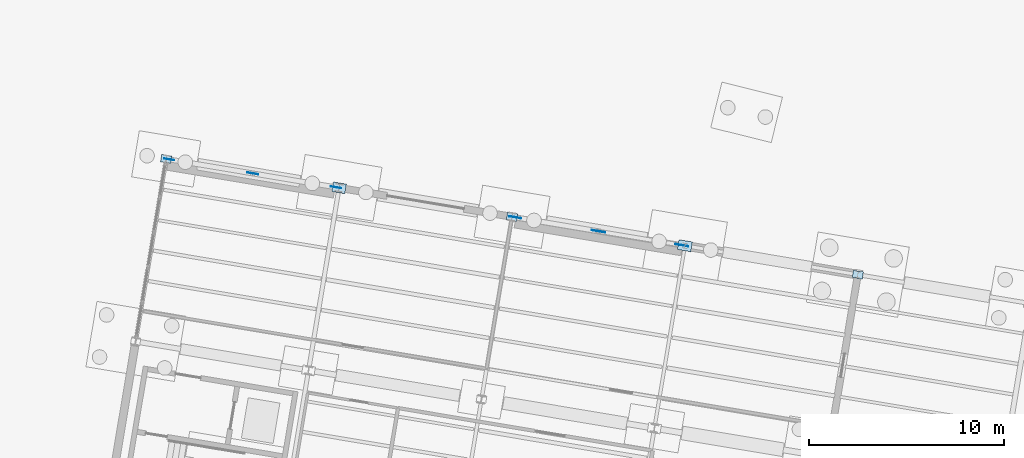
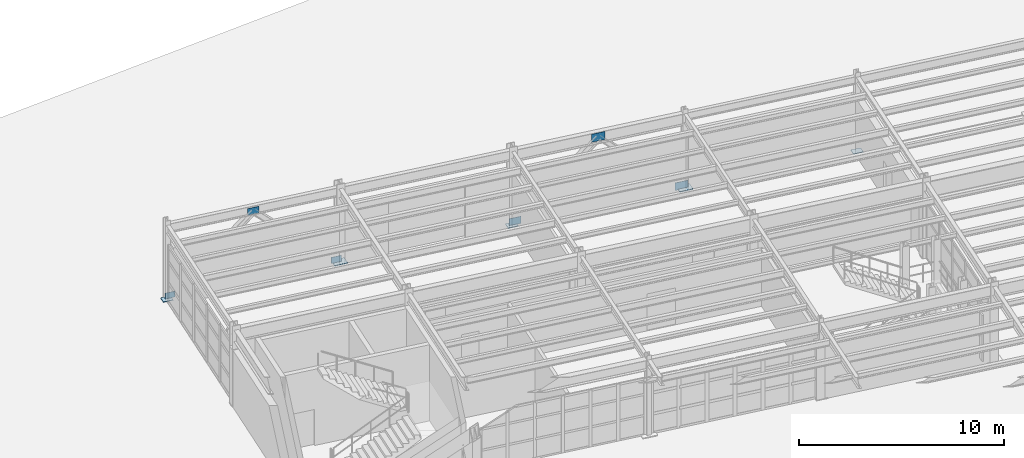
# One storey, part 78 of 108: 11 plates.
"""IFC4 building model written with IfcOpenShell, lengths in metres."""

import ifcopenshell
import ifcopenshell.guid

model = None  # the IFC model being written
_history = None  # IfcOwnerHistory: only IFC2X3 demands one
_inside = {}  # id of a spatial element -> (the spatial element, [elements in it])
_under = {}  # id of a project, library or spatial element -> (it, [spatial elements below it])
_declared = {}  # id of a project -> (the project, [libraries it declares])
_typed = {}  # id of a type object -> (the type object, [elements of that type])
_made_of = {}  # id of a material, layer set ... -> (it, [elements and type objects made of it])


def new_model(schema):
    """Start an empty IFC model of exactly this schema.

    Asked for "IFC4X3", IfcOpenShell would pick the latest addendum, in which some entities
    have other attributes; the version numbers below select the first issue.
    IFC2X3 requires an IfcOwnerHistory on every rooted entity: one is made here for all.
    """
    global model, _history
    if schema == "IFC4X3":
        model = ifcopenshell.file(schema_version=(4, 3, 0, 0))
    else:
        model = ifcopenshell.file(schema=schema)
    _inside.clear()
    _under.clear()
    _declared.clear()
    _typed.clear()
    _made_of.clear()
    _history = None
    if model.schema == "IFC2X3":
        org = make("IfcOrganization", Name="unknown")
        user = make(
            "IfcPersonAndOrganization",
            ThePerson=make("IfcPerson", FamilyName="unknown"),
            TheOrganization=org,
        )
        app = make(
            "IfcApplication",
            ApplicationDeveloper=org,
            Version="unknown",
            ApplicationFullName="unknown",
            ApplicationIdentifier="unknown",
        )
        _history = make(
            "IfcOwnerHistory",
            OwningUser=user,
            OwningApplication=app,
            ChangeAction="ADDED",
            CreationDate=0,
        )
    return model


def make(cls, **values):
    """One entity of the class cls with the attributes given. An attribute that is None is left unset."""
    return model.create_entity(
        cls, **{name: value for name, value in values.items() if value is not None}
    )


def rooted(cls, **values):
    """An entity with a GlobalId (a new one), such as an element, a storey or a relation."""
    return make(cls, GlobalId=ifcopenshell.guid.new(), OwnerHistory=_history, **values)


def si_unit(unit_type, name, prefix=None):
    """IfcSIUnit, for example si_unit("LENGTHUNIT", "METRE", prefix="MILLI")."""
    return make("IfcSIUnit", UnitType=unit_type, Prefix=prefix, Name=name)


def assignment(units):
    """IfcUnitAssignment: the units of a project."""
    return None if units is None else make("IfcUnitAssignment", Units=units)


def point(xyz):
    """IfcCartesianPoint."""
    return None if xyz is None else make("IfcCartesianPoint", Coordinates=xyz)


def direction(xyz):
    """IfcDirection."""
    return None if xyz is None else make("IfcDirection", DirectionRatios=xyz)


def frame(location, z_axis=None, x_axis=None):
    """IfcAxis2Placement3D, a coordinate frame: its origin and axes. An axis left out is left unset."""
    return make(
        "IfcAxis2Placement3D",
        Location=point(location),
        Axis=direction(z_axis),
        RefDirection=direction(x_axis),
    )


def frame_2d(location, x_axis=None):
    """IfcAxis2Placement2D, a coordinate frame in the plane: its origin and x axis."""
    return make(
        "IfcAxis2Placement2D", Location=point(location), RefDirection=direction(x_axis)
    )


def origin():
    """The frame at (0, 0, 0) with its axes left unset."""
    return frame((0.0, 0.0, 0.0))


def origin_2d():
    """The frame at (0, 0) in the plane with its x axis left unset."""
    return frame_2d((0.0, 0.0))


def place(relative_to, where):
    """IfcLocalPlacement: puts the frame where relative to a parent placement (None: the world)."""
    return make(
        "IfcLocalPlacement", PlacementRelTo=relative_to, RelativePlacement=where
    )


def context(
    kind, dimensions, precision=None, world=None, true_north=None, identifier=None
):
    """IfcGeometricRepresentationContext, for example the 3D "Model" context."""
    return make(
        "IfcGeometricRepresentationContext",
        ContextIdentifier=identifier,
        ContextType=kind,
        CoordinateSpaceDimension=dimensions,
        Precision=precision,
        WorldCoordinateSystem=world,
        TrueNorth=true_north,
    )


def subcontext(parent, identifier, kind, view, scale=None):
    """IfcGeometricRepresentationSubContext, for example "Body" below "Model"."""
    return make(
        "IfcGeometricRepresentationSubContext",
        ContextIdentifier=identifier,
        ContextType=kind,
        ParentContext=parent,
        TargetScale=scale,
        TargetView=view,
    )


def project(units=None, contexts=None):
    """IfcProject with its units and contexts."""
    return rooted(
        "IfcProject",
        Name="project",
        RepresentationContexts=contexts,
        UnitsInContext=assignment(units),
    )


def spatial(cls, under=None, at=None, **own):
    """A site, building, storey or space (cls), placed at a placement, below another one or the project."""
    s = rooted(cls, ObjectPlacement=at, **own)
    if under is not None:
        _under.setdefault(under.id(), (under, []))[1].append(s)
    return s


def profile(cls, at=None, kind="AREA", **sizes):
    """A parametric profile (cls). Its sizes go by their IFC names, for example OverallWidth=200.0."""
    return make(cls, ProfileType=kind, Position=at, **sizes)


def rectangle(**sizes):
    """IfcRectangleProfileDef."""
    return profile("IfcRectangleProfileDef", **sizes)


def extrude(swept, where, along, depth):
    """IfcExtrudedAreaSolid: the profile swept, set in the frame where, extruded along a direction by depth."""
    return make(
        "IfcExtrudedAreaSolid",
        SweptArea=swept,
        Position=where,
        ExtrudedDirection=direction(along),
        Depth=depth,
    )


def shape(context_of_items, identifier, shape_type, items):
    """IfcShapeRepresentation: the items that make up one representation, for example the "Body"."""
    return make(
        "IfcShapeRepresentation",
        ContextOfItems=context_of_items,
        RepresentationIdentifier=identifier,
        RepresentationType=shape_type,
        Items=items,
    )


def material(Name=None, Category=None):
    """IfcMaterial."""
    return make("IfcMaterial", Name=Name, Category=Category)


def layer(
    of_material, thickness, ventilated=None, Name=None, Category=None, Priority=None
):
    """IfcMaterialLayer: one layer of a wall or slab, of a material (None: an air gap)."""
    return make(
        "IfcMaterialLayer",
        Material=of_material,
        LayerThickness=thickness,
        IsVentilated=ventilated,
        Name=Name,
        Category=Category,
        Priority=Priority,
    )


def layer_set(layers, Name=None):
    """IfcMaterialLayerSet."""
    return make("IfcMaterialLayerSet", MaterialLayers=layers, LayerSetName=Name)


def made_of(thing, what):
    """Note that an element or type object is made of a material, layer set ...; save() writes the relation."""
    if what is not None:
        _made_of.setdefault(what.id(), (what, []))[1].append(thing)
    return thing


def type_object(cls, material=None, **own):
    """A type object (cls), such as IfcWallType, which elements share."""
    return made_of(rooted(cls, **own), material)


def element(
    cls,
    number,
    at=None,
    inside=None,
    cuts=None,
    type_object=None,
    material=None,
    context=None,
    identifier="Body",
    shape_type=None,
    held_by="IfcProductDefinitionShape",
    body=None,
    shapes=None,
    **own,
):
    """One element of the class cls, such as IfcWall. Its Tag is "e" and its number.

    at: its placement. inside: the storey or other place that contains it. cuts: it is an
    opening in that element (IfcRelVoidsElement). A single representation is given by context,
    identifier, shape_type and body (its items); several are given by shapes. held_by: the class
    of the entity that holds the representations. save() writes the other relations.
    """
    e = rooted(cls, Tag="e%d" % number, ObjectPlacement=at, **own)
    if body is not None:
        shapes = [shape(context, identifier, shape_type, body)]
    if shapes is not None:
        e.Representation = make(held_by, Representations=shapes)
    if inside is not None:
        _inside.setdefault(inside.id(), (inside, []))[1].append(e)
    if cuts is not None:
        rooted(
            "IfcRelVoidsElement", RelatingBuildingElement=cuts, RelatedOpeningElement=e
        )
    if type_object is not None:
        _typed.setdefault(type_object.id(), (type_object, []))[1].append(e)
    return made_of(e, material)


def aggregate(whole, parts):
    """IfcRelAggregates: a whole, such as a stair, and the parts it consists of."""
    return rooted("IfcRelAggregates", RelatingObject=whole, RelatedObjects=parts)


def save(model, path):
    """Write the relations noted so far, then the file.

    IfcRelAggregates (storeys below a building ...), IfcRelContainedInSpatialStructure (elements
    in a storey), IfcRelDefinesByType, IfcRelAssociatesMaterial and IfcRelDeclares: one each for
    every whole, place, type object, material and project.
    """
    for whole, parts in _under.values():
        aggregate(whole, parts)
    for where, things in _inside.values():
        rooted(
            "IfcRelContainedInSpatialStructure",
            RelatedElements=things,
            RelatingStructure=where,
        )
    for kind, things in _typed.values():
        rooted("IfcRelDefinesByType", RelatedObjects=things, RelatingType=kind)
    for what, things in _made_of.values():
        rooted("IfcRelAssociatesMaterial", RelatedObjects=things, RelatingMaterial=what)
    for by, libraries in _declared.values():
        rooted("IfcRelDeclares", RelatingContext=by, RelatedDefinitions=libraries)
    model.write(path)


model = new_model("IFC4")

# Units and contexts
model_context = context("Model", 3, precision=1e-05, world=origin(), true_north=direction((0.0, 1.0)))
body_context = subcontext(model_context, "Body", "Model", "MODEL_VIEW")
ifc_project = project(units=[si_unit("LENGTHUNIT", "METRE"), si_unit("AREAUNIT", "SQUARE_METRE"), si_unit("VOLUMEUNIT", "CUBIC_METRE"), si_unit("PLANEANGLEUNIT", "RADIAN"), si_unit("MASSUNIT", "GRAM", prefix="KILO")], contexts=[model_context])

# Site, building, storey
site_placement = place(None, origin())
site = spatial("IfcSite", under=ifc_project, at=site_placement, CompositionType="ELEMENT")
building_placement = place(site_placement, origin())
building = spatial("IfcBuilding", under=site, at=building_placement, Name="Vireo Bluff Cable Station", CompositionType="ELEMENT")
storey_placement = place(building_placement, origin())
storey = spatial("IfcBuildingStorey", under=building, at=storey_placement, Name="L00", CompositionType="ELEMENT", Elevation=0.0)

# Plates
ifc_material = material(Name="Steel ASTM A572 Gr. 50", Category="steel")
ifc_layer_1 = layer(ifc_material, 0.028076171875, Name="Steel ASTM A572 Gr. 50")
ifc_layer_set_1 = layer_set([ifc_layer_1], Name="Steel ASTM A572 Gr. 50")
plate_type_1 = type_object("IfcPlateType", Name="BASEPLATE-520X380X28", PredefinedType="SHEET", material=ifc_layer_set_1)
for number, where, z_axis, x_axis, name in (
    (1, (10.203857421875, 99.609130859375, 0.0), (0.0, 0.0, 1.0), (0.986285601537, -0.165047605861, 0.0), "V4 column baseplate 161"),
    (2, (45.710205078125, 93.66748046875, 0.0), (0.0, 0.0, 1.0), (0.986285601537, -0.165047605861, 0.0), "V4 column baseplate 177"),
):
    element("IfcPlate", number, at=place(storey_placement, frame(where, z_axis=z_axis, x_axis=x_axis)), inside=storey, type_object=plate_type_1, Name=name, PredefinedType="SHEET", context=body_context, shape_type="SweptSolid", body=[
        extrude(rectangle(XDim=0.52001953125, YDim=0.3798828125, at=origin_2d()), origin(), (0.0, 0.0, 1.0), 0.028076171875),
    ])
ifc_layer_2 = layer(ifc_material, 0.030029296875, Name="Steel ASTM A572 Gr. 50")
ifc_layer_set_2 = layer_set([ifc_layer_2], Name="Steel ASTM A572 Gr. 50")
plate_type_2 = type_object("IfcPlateType", Name="BASEPLATE-540X390X30", PredefinedType="SHEET", material=ifc_layer_set_2)
plate_1_placement = place(storey_placement, frame((27.95703125, 96.63818359375, 0.0), z_axis=(0.0, 0.0, 1.0), x_axis=(0.986285601537, -0.165047605861, 0.0)))
element("IfcPlate", 3, at=plate_1_placement, inside=storey, type_object=plate_type_2, Name="V4 column baseplate 169", PredefinedType="SHEET", context=body_context, shape_type="SweptSolid", body=[
    extrude(rectangle(XDim=0.5400390625, YDim=0.389892578125, at=origin_2d()), origin(), (0.0, 0.0, 1.0), 0.030029296875),
])
ifc_layer_3 = layer(ifc_material, 0.0419921875, Name="Steel ASTM A572 Gr. 50")
ifc_layer_set_3 = layer_set([ifc_layer_3], Name="Steel ASTM A572 Gr. 50")
plate_type_3 = type_object("IfcPlateType", Name="BASEPLATE-680X500X42", PredefinedType="SHEET", material=ifc_layer_set_3)
plate_2_placement = place(storey_placement, frame((19.080322265625, 98.123779296875, 0.0), z_axis=(0.0, 0.0, 1.0), x_axis=(0.986285601537, -0.165047605861, 0.0)))
element("IfcPlate", 4, at=plate_2_placement, inside=storey, type_object=plate_type_3, Name="V4 column baseplate 165", PredefinedType="SHEET", context=body_context, shape_type="SweptSolid", body=[
    extrude(rectangle(XDim=0.679931640625, YDim=0.5, at=origin_2d()), origin(), (0.0, 0.0, 1.0), 0.0419921875),
])
ifc_layer_4 = layer(ifc_material, 0.0439453125, Name="Steel ASTM A572 Gr. 50")
ifc_layer_set_4 = layer_set([ifc_layer_4], Name="Steel ASTM A572 Gr. 50")
plate_type_4 = type_object("IfcPlateType", Name="BASEPLATE-700X510X44", PredefinedType="SHEET", material=ifc_layer_set_4)
plate_3_placement = place(storey_placement, frame((36.83349609375, 95.15283203125, 0.0), z_axis=(0.0, 0.0, 1.0), x_axis=(0.986285601537, -0.165047605861, 0.0)))
element("IfcPlate", 5, at=plate_3_placement, inside=storey, type_object=plate_type_4, Name="V4 column baseplate 173", PredefinedType="SHEET", context=body_context, shape_type="SweptSolid", body=[
    extrude(rectangle(XDim=0.699951171875, YDim=0.510009765625, at=origin_2d()), origin(), (0.0, 0.0, 1.0), 0.0439453125),
])
ifc_layer_5 = layer(ifc_material, 0.02001953125, Name="Steel ASTM A572 Gr. 50")
ifc_layer_set_5 = layer_set([ifc_layer_5], Name="Steel ASTM A572 Gr. 50")
plate_type_5 = type_object("IfcPlateType", Name="GUSSET-500X340X20", PredefinedType="USERDEFINED", material=ifc_layer_set_5)
plate_4_placement = place(storey_placement, frame((10.361572265625, 99.582763671875, 0.0498046875), z_axis=(0.0, 0.0, 1.0), x_axis=(0.986285601537, -0.165047605861, 0.0)))
element("IfcPlate", 6, at=plate_4_placement, inside=storey, type_object=plate_type_5, Name="V4 L00 brace base gusset plate 182", ObjectType="GUSSET PLATE", PredefinedType="USERDEFINED", context=body_context, shape_type="SweptSolid", body=[
    extrude(rectangle(XDim=0.5, YDim=0.02001953125, at=origin_2d()), origin(), (0.0, 0.0, 1.0), 0.340087890625),
])
ifc_layer_6 = layer(ifc_material, 0.02197265625, Name="Steel ASTM A572 Gr. 50")
ifc_layer_set_6 = layer_set([ifc_layer_6], Name="Steel ASTM A572 Gr. 50")
plate_type_6 = type_object("IfcPlateType", Name="GUSSET-540X360X22", PredefinedType="USERDEFINED", material=ifc_layer_set_6)
plate_5_placement = place(storey_placement, frame((18.922607421875, 98.150146484375, 0.0400390625), z_axis=(0.0, 0.0, 1.0), x_axis=(0.986285601537, -0.165047605861, 0.0)))
element("IfcPlate", 7, at=plate_5_placement, inside=storey, type_object=plate_type_6, Name="V4 L00 brace base gusset plate 183", ObjectType="GUSSET PLATE", PredefinedType="USERDEFINED", context=body_context, shape_type="SweptSolid", body=[
    extrude(rectangle(XDim=0.5400390625, YDim=0.02197265625, at=origin_2d()), origin(), (0.0, 0.0, 1.0), 0.360107421875),
])
ifc_layer_7 = layer(ifc_material, 0.02392578125, Name="Steel ASTM A572 Gr. 50")
ifc_layer_set_7 = layer_set([ifc_layer_7], Name="Steel ASTM A572 Gr. 50")
plate_type_7 = type_object("IfcPlateType", Name="GUSSET-580X400X24", PredefinedType="USERDEFINED", material=ifc_layer_set_7)
plate_6_placement = place(storey_placement, frame((14.64208984375, 98.866455078125, 3.97998046875), z_axis=(0.0, 0.0, 1.0), x_axis=(0.986285601537, -0.165047605861, 0.0)))
element("IfcPlate", 8, at=plate_6_placement, inside=storey, type_object=plate_type_7, Name="V4 L00 chevron gusset plate 184", ObjectType="GUSSET PLATE", PredefinedType="USERDEFINED", context=body_context, shape_type="SweptSolid", body=[
    extrude(rectangle(XDim=0.580078125, YDim=0.02392578125, at=origin_2d()), origin(), (0.0, 0.0, 1.0), 0.39990234375),
])
ifc_layer_8 = layer(ifc_material, 0.02490234375, Name="Steel ASTM A572 Gr. 50")
ifc_layer_set_8 = layer_set([ifc_layer_8], Name="Steel ASTM A572 Gr. 50")
plate_type_8 = type_object("IfcPlateType", Name="GUSSET-620X420X25", PredefinedType="USERDEFINED", material=ifc_layer_set_8)
plate_7_placement = place(storey_placement, frame((28.11474609375, 96.61181640625, 0.010009765625), z_axis=(0.0, 0.0, 1.0), x_axis=(0.986285601537, -0.165047605861, 0.0)))
element("IfcPlate", 9, at=plate_7_placement, inside=storey, type_object=plate_type_8, Name="V4 L00 brace base gusset plate 185", ObjectType="GUSSET PLATE", PredefinedType="USERDEFINED", context=body_context, shape_type="SweptSolid", body=[
    extrude(rectangle(XDim=0.6201171875, YDim=0.02490234375, at=origin_2d()), origin(), (0.0, 0.0, 1.0), 0.419921875),
])
ifc_layer_9 = layer(ifc_material, 0.028076171875, Name="Steel ASTM A572 Gr. 50")
ifc_layer_set_9 = layer_set([ifc_layer_9], Name="Steel ASTM A572 Gr. 50")
plate_type_9 = type_object("IfcPlateType", Name="GUSSET-660X450X28", PredefinedType="USERDEFINED", material=ifc_layer_set_9)
plate_8_placement = place(storey_placement, frame((36.67578125, 95.17919921875, -0.0048828125), z_axis=(0.0, 0.0, 1.0), x_axis=(0.986285601537, -0.165047605861, 0.0)))
element("IfcPlate", 10, at=plate_8_placement, inside=storey, type_object=plate_type_9, Name="V4 L00 brace base gusset plate 186", ObjectType="GUSSET PLATE", PredefinedType="USERDEFINED", context=body_context, shape_type="SweptSolid", body=[
    extrude(rectangle(XDim=0.659912109375, YDim=0.028076171875, at=origin_2d()), origin(), (0.0, 0.0, 1.0), 0.449951171875),
])
ifc_layer_10 = layer(ifc_material, 0.030029296875, Name="Steel ASTM A572 Gr. 50")
ifc_layer_set_10 = layer_set([ifc_layer_10], Name="Steel ASTM A572 Gr. 50")
plate_type_10 = type_object("IfcPlateType", Name="GUSSET-700X480X30", PredefinedType="USERDEFINED", material=ifc_layer_set_10)
plate_9_placement = place(storey_placement, frame((32.395263671875, 95.8955078125, 3.93994140625), z_axis=(0.0, 0.0, 1.0), x_axis=(0.986285601537, -0.165047605861, 0.0)))
element("IfcPlate", 11, at=plate_9_placement, inside=storey, type_object=plate_type_10, Name="V4 L00 chevron gusset plate 187", ObjectType="GUSSET PLATE", PredefinedType="USERDEFINED", context=body_context, shape_type="SweptSolid", body=[
    extrude(rectangle(XDim=0.699951171875, YDim=0.030029296875, at=origin_2d()), origin(), (0.0, 0.0, 1.0), 0.47998046875),
])

save(model, "model.ifc")
